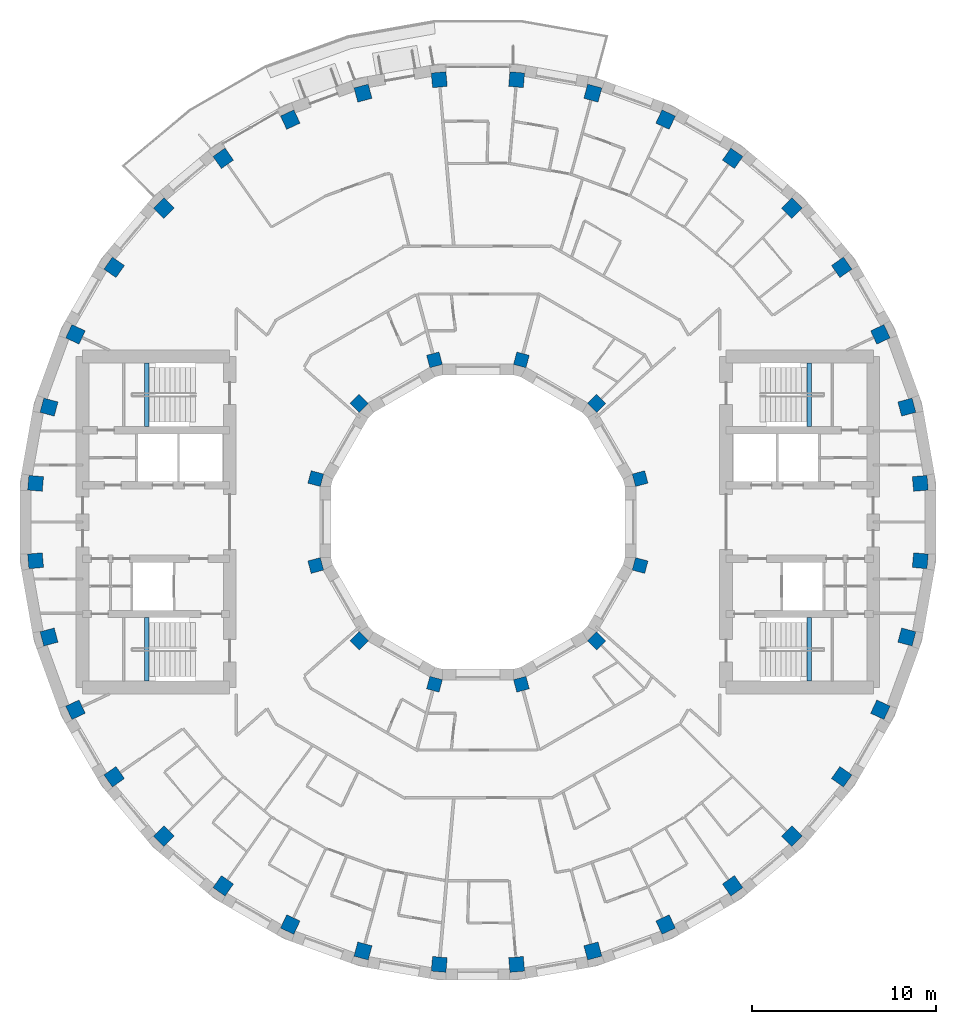
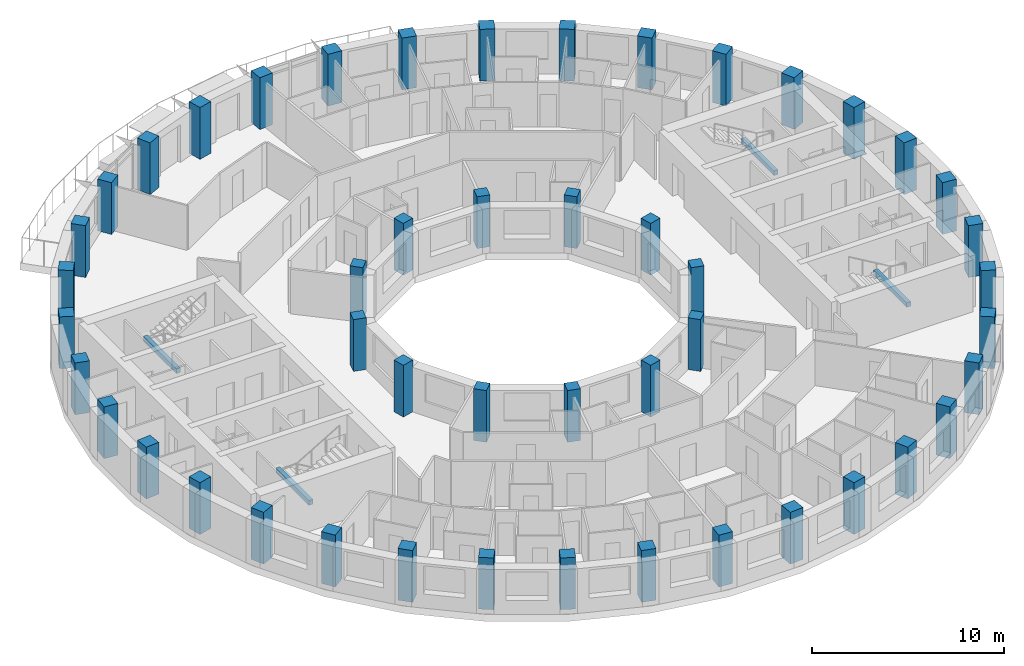
# One storey, part 1 of 14: 48 columns, 4 beams.
"""IFC4 building model written with IfcOpenShell, lengths in metres."""

from ifc_helpers import new_model, si_unit, direction, frame, origin, origin_2d, place, context, subcontext, project, spatial, rectangle, extrude, material, material_profile, profile_set, type_object, element, save


model = new_model("IFC4")

# Units and contexts
model_context = context("Model", 3, precision=1e-05, world=origin(), true_north=direction((0.0, 1.0)))
body_context = subcontext(model_context, "Body", "Model", "MODEL_VIEW")
ifc_project = project(units=[si_unit("LENGTHUNIT", "METRE"), si_unit("AREAUNIT", "SQUARE_METRE"), si_unit("VOLUMEUNIT", "CUBIC_METRE"), si_unit("PLANEANGLEUNIT", "RADIAN"), si_unit("MASSUNIT", "GRAM", prefix="KILO")], contexts=[model_context])

# Site, building, storey
site_placement = place(None, origin())
site = spatial("IfcSite", under=ifc_project, at=site_placement, CompositionType="ELEMENT")
building_placement = place(site_placement, origin())
building = spatial("IfcBuilding", under=site, at=building_placement, Name="Saqina Gate Tower", CompositionType="ELEMENT")
storey_placement = place(building_placement, frame((0.0, 0.0, 210.300048828125)))
storey = spatial("IfcBuildingStorey", under=building, at=storey_placement, Name="L60", CompositionType="ELEMENT", Elevation=210.300048828125)

# Columns
ifc_material_1 = material(Name="Concrete C60/75", Category="concrete")
ifc_material_profile_1 = material_profile(ifc_material_1, rectangle(XDim=0.699951171875, YDim=0.699951171875, at=origin_2d()), Name="RC 700x700")
ifc_profile_set_1 = profile_set([ifc_material_profile_1], Name="Concrete C60/75")
column_type_1 = type_object("IfcColumnType", Name="STR-COL-IN-C", PredefinedType="COLUMN", material=ifc_profile_set_1)
for number, where, z_axis, x_axis, name in (
    (1, (8.821044921875, 2.363525390625, 0.0), (0.0, 0.0, 1.0), (0.965925826289, 0.258819045103, 0.0), "L60-ICL01"),
    (2, (6.45751953125, 6.45751953125, 0.0), (0.0, 0.0, 1.0), (0.707106781187, 0.707106781187, 0.0), "L60-ICL02"),
    (3, (2.363525390625, 8.821044921875, 0.0), (0.0, 0.0, 1.0), (0.258819045103, 0.965925826289, 0.0), "L60-ICL03"),
    (4, (-2.363525390625, 8.821044921875, 0.0), (0.0, 0.0, 1.0), (-0.258819045103, 0.965925826289, 0.0), "L60-ICL04"),
    (5, (-6.45751953125, 6.45751953125, 0.0), (0.0, 0.0, 1.0), (-0.707106781187, 0.707106781187, 0.0), "L60-ICL05"),
    (6, (-8.821044921875, 2.363525390625, 0.0), (0.0, 0.0, 1.0), (-0.965925826289, 0.258819045103, 0.0), "L60-ICL06"),
    (7, (-8.821044921875, -2.363525390625, 0.0), (0.0, 0.0, 1.0), (-0.965925826289, -0.258819045103, 0.0), "L60-ICL07"),
    (8, (-6.45751953125, -6.45751953125, 0.0), (0.0, 0.0, 1.0), (-0.707106781187, -0.707106781187, 0.0), "L60-ICL08"),
    (9, (-2.363525390625, -8.821044921875, 0.0), (0.0, 0.0, 1.0), (-0.258819045103, -0.965925826289, 0.0), "L60-ICL09"),
    (10, (2.363525390625, -8.821044921875, 0.0), (0.0, 0.0, 1.0), (0.258819045103, -0.965925826289, 0.0), "L60-ICL10"),
    (11, (6.45751953125, -6.45751953125, 0.0), (0.0, 0.0, 1.0), (0.707106781187, -0.707106781187, 0.0), "L60-ICL11"),
    (12, (8.821044921875, -2.363525390625, 0.0), (0.0, 0.0, 1.0), (0.965925826289, -0.258819045103, 0.0), "L60-ICL12"),
):
    element("IfcColumn", number, at=place(storey_placement, frame(where, z_axis=z_axis, x_axis=x_axis)), inside=storey, type_object=column_type_1, Name=name, PredefinedType="COLUMN", context=body_context, shape_type="SweptSolid", body=[
        extrude(rectangle(XDim=0.699951171875, YDim=0.699951171875, at=origin_2d()), origin(), (0.0, 0.0, 1.0), 3.300048828125),
    ])
ifc_material_2 = material(Name="Concrete C60/75", Category="concrete")
ifc_material_profile_2 = material_profile(ifc_material_2, rectangle(XDim=0.800048828125, YDim=0.800048828125, at=origin_2d()), Name="RC 800x800")
ifc_profile_set_2 = profile_set([ifc_material_profile_2], Name="Concrete C60/75")
column_type_2 = type_object("IfcColumnType", Name="STR-COL-OUT-C", PredefinedType="COLUMN", material=ifc_profile_set_2)
for number, where, z_axis, x_axis, name in (
    (13, (24.05810546875, 2.104736328125, 0.0), (0.0, 0.0, 1.0), (0.996194698092, 0.087155742748, 0.0), "L60-COL01"),
    (14, (23.3271484375, 6.25048828125, 0.0), (0.0, 0.0, 1.0), (0.965925826289, 0.258819045103, 0.0), "L60-COL02"),
    (15, (21.887451171875, 10.206298828125, 0.0), (0.0, 0.0, 1.0), (0.906307787037, 0.422618261741, 0.0), "L60-COL03"),
    (16, (19.782470703125, 13.851806640625, 0.0), (0.0, 0.0, 1.0), (0.819152044289, 0.573576436351, 0.0), "L60-COL04"),
    (17, (17.07666015625, 17.07666015625, 0.0), (0.0, 0.0, 1.0), (0.707106781187, 0.707106781187, 0.0), "L60-COL05"),
    (18, (13.851806640625, 19.782470703125, 0.0), (0.0, 0.0, 1.0), (0.573576436351, 0.819152044289, 0.0), "L60-COL06"),
    (19, (10.206298828125, 21.887451171875, 0.0), (0.0, 0.0, 1.0), (0.422618261741, 0.906307787037, 0.0), "L60-COL07"),
    (20, (6.25048828125, 23.3271484375, 0.0), (0.0, 0.0, 1.0), (0.258819045103, 0.965925826289, 0.0), "L60-COL08"),
    (21, (2.104736328125, 24.05810546875, 0.0), (0.0, 0.0, 1.0), (0.087155742748, 0.996194698092, 0.0), "L60-COL09"),
    (22, (-2.104736328125, 24.05810546875, 0.0), (0.0, 0.0, 1.0), (-0.087155742748, 0.996194698092, 0.0), "L60-COL10"),
    (23, (-6.25048828125, 23.3271484375, 0.0), (0.0, 0.0, 1.0), (-0.258819045103, 0.965925826289, 0.0), "L60-COL11"),
    (24, (-10.206298828125, 21.887451171875, 0.0), (0.0, 0.0, 1.0), (-0.422618261741, 0.906307787037, 0.0), "L60-COL12"),
    (25, (-13.851806640625, 19.782470703125, 0.0), (0.0, 0.0, 1.0), (-0.573576436351, 0.819152044289, 0.0), "L60-COL13"),
    (26, (-17.07666015625, 17.07666015625, 0.0), (0.0, 0.0, 1.0), (-0.707106781187, 0.707106781187, 0.0), "L60-COL14"),
    (27, (-19.782470703125, 13.851806640625, 0.0), (0.0, 0.0, 1.0), (-0.819152044289, 0.573576436351, 0.0), "L60-COL15"),
    (28, (-21.887451171875, 10.206298828125, 0.0), (0.0, 0.0, 1.0), (-0.906307787037, 0.422618261741, 0.0), "L60-COL16"),
    (29, (-23.3271484375, 6.25048828125, 0.0), (0.0, 0.0, 1.0), (-0.965925826289, 0.258819045103, 0.0), "L60-COL17"),
    (30, (-24.05810546875, 2.104736328125, 0.0), (0.0, 0.0, 1.0), (-0.996194698092, 0.087155742748, 0.0), "L60-COL18"),
    (31, (-24.05810546875, -2.104736328125, 0.0), (0.0, 0.0, 1.0), (-0.996194698092, -0.087155742748, 0.0), "L60-COL19"),
    (32, (-23.3271484375, -6.25048828125, 0.0), (0.0, 0.0, 1.0), (-0.965925826289, -0.258819045103, 0.0), "L60-COL20"),
    (33, (-21.887451171875, -10.206298828125, 0.0), (0.0, 0.0, 1.0), (-0.906307787037, -0.422618261741, 0.0), "L60-COL21"),
    (34, (-19.782470703125, -13.851806640625, 0.0), (0.0, 0.0, 1.0), (-0.819152044289, -0.573576436351, 0.0), "L60-COL22"),
    (35, (-17.07666015625, -17.07666015625, 0.0), (0.0, 0.0, 1.0), (-0.707106781187, -0.707106781187, 0.0), "L60-COL23"),
    (36, (-13.851806640625, -19.782470703125, 0.0), (0.0, 0.0, 1.0), (-0.573576436351, -0.819152044289, 0.0), "L60-COL24"),
    (37, (-10.206298828125, -21.887451171875, 0.0), (0.0, 0.0, 1.0), (-0.422618261741, -0.906307787037, 0.0), "L60-COL25"),
    (38, (-6.25048828125, -23.3271484375, 0.0), (0.0, 0.0, 1.0), (-0.258819045103, -0.965925826289, 0.0), "L60-COL26"),
    (39, (-2.104736328125, -24.05810546875, 0.0), (0.0, 0.0, 1.0), (-0.087155742748, -0.996194698092, 0.0), "L60-COL27"),
    (40, (2.104736328125, -24.05810546875, 0.0), (0.0, 0.0, 1.0), (0.087155742748, -0.996194698092, 0.0), "L60-COL28"),
    (41, (6.25048828125, -23.3271484375, 0.0), (0.0, 0.0, 1.0), (0.258819045103, -0.965925826289, 0.0), "L60-COL29"),
    (42, (10.206298828125, -21.887451171875, 0.0), (0.0, 0.0, 1.0), (0.422618261741, -0.906307787037, 0.0), "L60-COL30"),
    (43, (13.851806640625, -19.782470703125, 0.0), (0.0, 0.0, 1.0), (0.573576436351, -0.819152044289, 0.0), "L60-COL31"),
    (44, (17.07666015625, -17.07666015625, 0.0), (0.0, 0.0, 1.0), (0.707106781187, -0.707106781187, 0.0), "L60-COL32"),
    (45, (19.782470703125, -13.851806640625, 0.0), (0.0, 0.0, 1.0), (0.819152044289, -0.573576436351, 0.0), "L60-COL33"),
    (46, (21.887451171875, -10.206298828125, 0.0), (0.0, 0.0, 1.0), (0.906307787037, -0.422618261741, 0.0), "L60-COL34"),
    (47, (23.3271484375, -6.25048828125, 0.0), (0.0, 0.0, 1.0), (0.965925826289, -0.258819045103, 0.0), "L60-COL35"),
    (48, (24.05810546875, -2.104736328125, 0.0), (0.0, 0.0, 1.0), (0.996194698092, -0.087155742748, 0.0), "L60-COL36"),
):
    element("IfcColumn", number, at=place(storey_placement, frame(where, z_axis=z_axis, x_axis=x_axis)), inside=storey, type_object=column_type_2, Name=name, PredefinedType="COLUMN", context=body_context, shape_type="SweptSolid", body=[
        extrude(rectangle(XDim=0.800048828125, YDim=0.800048828125, at=origin_2d()), origin(), (0.0, 0.0, 1.0), 3.300048828125),
    ])

# Beams
ifc_material_3 = material(Name="Concrete C40/50", Category="concrete")
ifc_material_profile_3 = material_profile(ifc_material_3, rectangle(XDim=0.25, YDim=0.300048828125, at=origin_2d()), Name="STAIR LANDING BEAM")
ifc_profile_set_3 = profile_set([ifc_material_profile_3], Name="Concrete C40/50")
beam_type = type_object("IfcBeamType", Name="STAIR LANDING BEAM", PredefinedType="BEAM", material=ifc_profile_set_3)
for number, where, z_axis, x_axis, name in (
    (49, (18.02001953125, 5.199951171875, 1.25), (0.0, 1.0, 0.0), (-1.0, 0.0, 0.0), "EXIT STAIR 1 LANDING BEAM"),
    (50, (18.02001953125, -8.64990234375, 1.25), (0.0, 1.0, 0.0), (-1.0, 0.0, 0.0), "EXIT STAIR 2 LANDING BEAM"),
    (51, (-18.02001953125, 5.199951171875, 1.25), (0.0, 1.0, 0.0), (-1.0, 0.0, 0.0), "EXIT STAIR 3 LANDING BEAM"),
    (52, (-18.02001953125, -8.64990234375, 1.25), (0.0, 1.0, 0.0), (-1.0, 0.0, 0.0), "EXIT STAIR 4 LANDING BEAM"),
):
    element("IfcBeam", number, at=place(storey_placement, frame(where, z_axis=z_axis, x_axis=x_axis)), inside=storey, type_object=beam_type, Name=name, PredefinedType="BEAM", context=body_context, shape_type="SweptSolid", body=[
        extrude(rectangle(XDim=0.25, YDim=0.300048828125, at=origin_2d()), origin(), (0.0, 0.0, 1.0), 3.449951171875),
    ])

save(model, "model.ifc")
